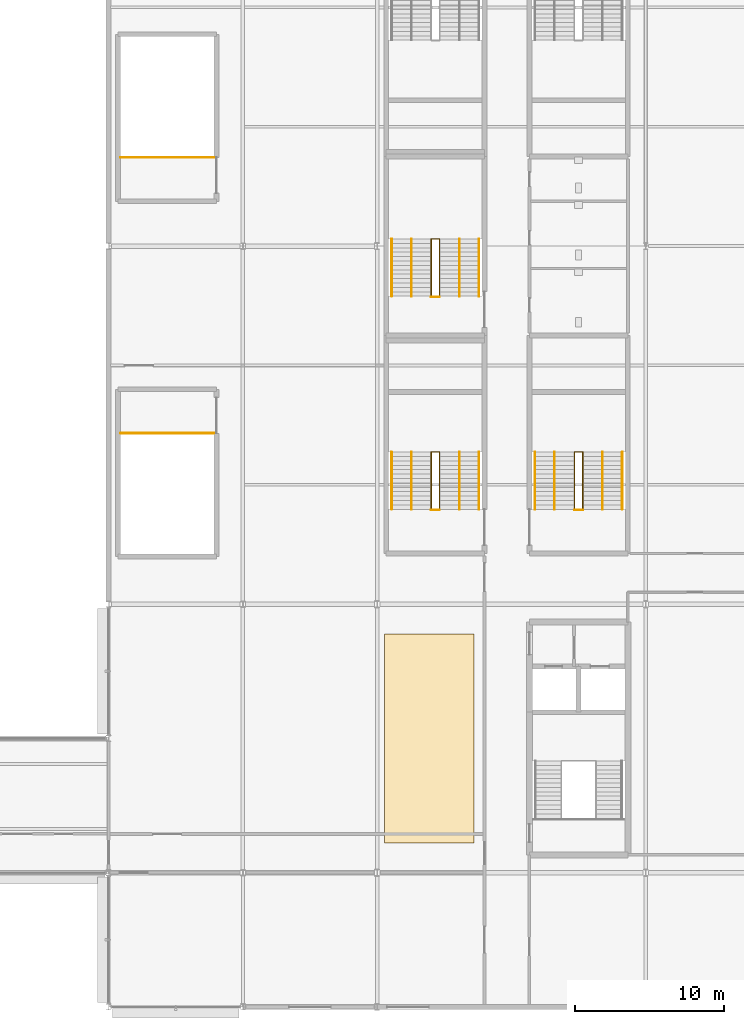
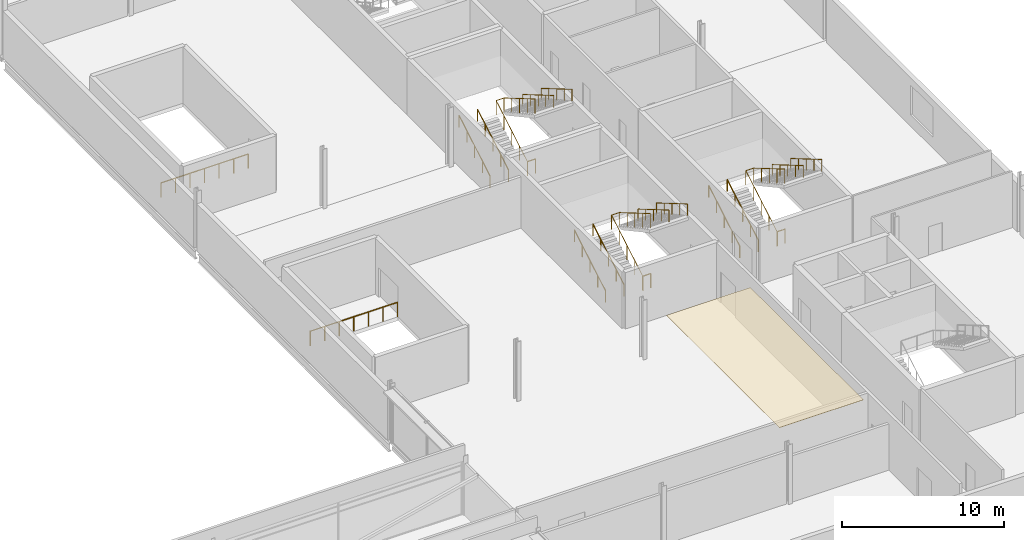
# One storey, part 70 of 73: 20 railings, 1 covering.
"""IFC4 building model written with IfcOpenShell, lengths in metres."""

from ifc_helpers import new_model, si_unit, direction, frame, origin, origin_2d, place, context, subcontext, project, spatial, polyline, circle, outline, extrude, material, layer, layer_set, type_object, element, save


model = new_model("IFC4")

# Units and contexts
model_context = context("Model", 3, precision=1e-05, world=origin(), true_north=direction((0.0, 1.0)))
body_context = subcontext(model_context, "Body", "Model", "MODEL_VIEW")
ifc_project = project(units=[si_unit("LENGTHUNIT", "METRE"), si_unit("AREAUNIT", "SQUARE_METRE"), si_unit("VOLUMEUNIT", "CUBIC_METRE"), si_unit("PLANEANGLEUNIT", "RADIAN"), si_unit("MASSUNIT", "GRAM", prefix="KILO")], contexts=[model_context])

# Site, building, storey
site_placement = place(None, origin())
site = spatial("IfcSite", under=ifc_project, at=site_placement, CompositionType="ELEMENT")
building_placement = place(site_placement, origin())
building = spatial("IfcBuilding", under=site, at=building_placement, Name="Kisiwana Market Hall", CompositionType="ELEMENT")
storey_placement = place(building_placement, frame((0.0, 0.0, 33.300048828125)))
storey = spatial("IfcBuildingStorey", under=building, at=storey_placement, Name="L07", CompositionType="ELEMENT", Elevation=33.300048828125)

# Covering
ifc_material_1 = material(Name="Mineral-fibre acoustic ceiling board")
ifc_layer = layer(ifc_material_1, 0.02490234375)
ifc_layer_set = layer_set([ifc_layer], Name="COV-CEIL-AC")
covering_type = type_object("IfcCoveringType", Name="COV-CEIL-AC", PredefinedType="CEILING", material=ifc_layer_set)
covering_placement = place(storey_placement, frame((0.0, 0.0, 4.22998046875)))
element("IfcCovering", 1, at=covering_placement, inside=storey, type_object=covering_type, Name="Acoustic ceiling grid L07-020", PredefinedType="CEILING", context=body_context, shape_type="SweptSolid", body=[
    extrude(outline(polyline([(171.5, 20.0), (177.5, 20.0), (177.5, 34.0), (171.5, 34.0), (171.5, 20.0)])), origin(), (0.0, 0.0, 1.0), 0.02490234375),
])

# Railings
ifc_material_2 = material(Name="Steel S275", Category="steel")
railing_type_1 = type_object("IfcRailingType", Name="RL-GUARD-1100", PredefinedType="GUARDRAIL", material=ifc_material_2)
railing_1_placement = place(storey_placement, frame((184.219970703125, 42.360107421875, 0.0)))
element("IfcRailing", 2, at=railing_1_placement, inside=storey, type_object=railing_type_1, Name="Stair ST-E3-L07 inner-well guardrail (RL-1079)", PredefinedType="GUARDRAIL", context=body_context, shape_type="SweptSolid", body=[
    extrude(circle(Radius=0.02392578125, at=origin_2d()), frame((0.0, 0.0, 1.076171875), z_axis=(0.0, 0.86250956776, 0.506040754805), x_axis=(-1.0, 0.0, 0.0)), (0.0, 0.0, 1.0), 4.4462890625),
    extrude(circle(Radius=0.02392578125, at=origin_2d()), frame((0.0, 3.8349609375, 3.326171875), z_axis=(1.0, 0.0, 0.0), x_axis=(0.0, 1.0, 0.0)), (0.0, 0.0, 1.0), 0.56005859375),
    extrude(circle(Radius=0.02392578125, at=origin_2d()), frame((0.56005859375, 3.8349609375, 3.326171875), z_axis=(0.0, -0.86250956776, 0.506040754805), x_axis=(1.0, 0.0, 0.0)), (0.0, 0.0, 1.0), 4.4462890625),
    extrude(circle(Radius=0.02099609375, at=origin_2d()), origin(), (0.0, 0.0, 1.0), 1.052001953125),
    extrude(circle(Radius=0.02099609375, at=origin_2d()), frame((0.0, 0.958740234375, 0.5625)), (0.0, 0.0, 1.0), 1.052001953125),
    extrude(circle(Radius=0.02099609375, at=origin_2d()), frame((0.0, 1.91748046875, 1.125)), (0.0, 0.0, 1.0), 1.052001953125),
    extrude(circle(Radius=0.02099609375, at=origin_2d()), frame((0.0, 2.876220703125, 1.6875)), (0.0, 0.0, 1.0), 1.052001953125),
    extrude(circle(Radius=0.02099609375, at=origin_2d()), frame((0.0, 3.8349609375, 2.25)), (0.0, 0.0, 1.0), 1.052001953125),
    extrude(circle(Radius=0.02099609375, at=origin_2d()), frame((0.56005859375, 3.8349609375, 2.25)), (0.0, 0.0, 1.0), 1.052001953125),
    extrude(circle(Radius=0.02099609375, at=origin_2d()), frame((0.56005859375, 2.876220703125, 2.8125)), (0.0, 0.0, 1.0), 1.052001953125),
    extrude(circle(Radius=0.02099609375, at=origin_2d()), frame((0.56005859375, 1.91748046875, 3.375)), (0.0, 0.0, 1.0), 1.052001953125),
    extrude(circle(Radius=0.02099609375, at=origin_2d()), frame((0.56005859375, 0.958740234375, 3.9375)), (0.0, 0.0, 1.0), 1.052001953125),
    extrude(circle(Radius=0.02099609375, at=origin_2d()), frame((0.56005859375, 0.0, 4.5)), (0.0, 0.0, 1.0), 1.052001953125),
])
railing_2_placement = place(storey_placement, frame((184.219970703125, 42.31005859375, 0.0)))
element("IfcRailing", 3, at=railing_2_placement, inside=storey, type_object=railing_type_1, Name="Stair ST-E3-L07 landing edge guardrail (RL-1084)", PredefinedType="GUARDRAIL", context=body_context, shape_type="SweptSolid", body=[
    extrude(circle(Radius=0.02392578125, at=origin_2d()), frame((0.0, 0.0, 1.076171875), z_axis=(1.0, 0.0, 0.0), x_axis=(0.0, 1.0, 0.0)), (0.0, 0.0, 1.0), 0.56005859375),
    extrude(circle(Radius=0.02099609375, at=origin_2d()), origin(), (0.0, 0.0, 1.0), 1.052001953125),
    extrude(circle(Radius=0.02099609375, at=origin_2d()), frame((0.56005859375, 0.0, 0.0)), (0.0, 0.0, 1.0), 1.052001953125),
])
railing_3_placement = place(storey_placement, frame((174.6201171875, 42.360107421875, 0.0)))
element("IfcRailing", 4, at=railing_3_placement, inside=storey, type_object=railing_type_1, Name="Stair ST-E7-L07 inner-well guardrail (RL-1097)", PredefinedType="GUARDRAIL", context=body_context, shape_type="SweptSolid", body=[
    extrude(circle(Radius=0.02392578125, at=origin_2d()), frame((0.0, 0.0, 1.076171875), z_axis=(0.0, 0.86250956776, 0.506040754805), x_axis=(-1.0, 0.0, 0.0)), (0.0, 0.0, 1.0), 4.4462890625),
    extrude(circle(Radius=0.02392578125, at=origin_2d()), frame((0.0, 3.8349609375, 3.326171875), z_axis=(1.0, 0.0, 0.0), x_axis=(0.0, 1.0, 0.0)), (0.0, 0.0, 1.0), 0.559814453125),
    extrude(circle(Radius=0.02392578125, at=origin_2d()), frame((0.559814453125, 3.8349609375, 3.326171875), z_axis=(0.0, -0.86250956776, 0.506040754805), x_axis=(1.0, 0.0, 0.0)), (0.0, 0.0, 1.0), 4.4462890625),
    extrude(circle(Radius=0.02099609375, at=origin_2d()), origin(), (0.0, 0.0, 1.0), 1.052001953125),
    extrude(circle(Radius=0.02099609375, at=origin_2d()), frame((0.0, 0.958740234375, 0.5625)), (0.0, 0.0, 1.0), 1.052001953125),
    extrude(circle(Radius=0.02099609375, at=origin_2d()), frame((0.0, 1.91748046875, 1.125)), (0.0, 0.0, 1.0), 1.052001953125),
    extrude(circle(Radius=0.02099609375, at=origin_2d()), frame((0.0, 2.876220703125, 1.6875)), (0.0, 0.0, 1.0), 1.052001953125),
    extrude(circle(Radius=0.02099609375, at=origin_2d()), frame((0.0, 3.8349609375, 2.25)), (0.0, 0.0, 1.0), 1.052001953125),
    extrude(circle(Radius=0.02099609375, at=origin_2d()), frame((0.559814453125, 3.8349609375, 2.25)), (0.0, 0.0, 1.0), 1.052001953125),
    extrude(circle(Radius=0.02099609375, at=origin_2d()), frame((0.559814453125, 2.876220703125, 2.8125)), (0.0, 0.0, 1.0), 1.052001953125),
    extrude(circle(Radius=0.02099609375, at=origin_2d()), frame((0.559814453125, 1.91748046875, 3.375)), (0.0, 0.0, 1.0), 1.052001953125),
    extrude(circle(Radius=0.02099609375, at=origin_2d()), frame((0.559814453125, 0.958740234375, 3.9375)), (0.0, 0.0, 1.0), 1.052001953125),
    extrude(circle(Radius=0.02099609375, at=origin_2d()), frame((0.559814453125, 0.0, 4.5)), (0.0, 0.0, 1.0), 1.052001953125),
])
railing_4_placement = place(storey_placement, frame((174.6201171875, 42.31005859375, 0.0)))
element("IfcRailing", 5, at=railing_4_placement, inside=storey, type_object=railing_type_1, Name="Stair ST-E7-L07 landing edge guardrail (RL-1102)", PredefinedType="GUARDRAIL", context=body_context, shape_type="SweptSolid", body=[
    extrude(circle(Radius=0.02392578125, at=origin_2d()), frame((0.0, 0.0, 1.076171875), z_axis=(1.0, 0.0, 0.0), x_axis=(0.0, 1.0, 0.0)), (0.0, 0.0, 1.0), 0.559814453125),
    extrude(circle(Radius=0.02099609375, at=origin_2d()), origin(), (0.0, 0.0, 1.0), 1.052001953125),
    extrude(circle(Radius=0.02099609375, at=origin_2d()), frame((0.559814453125, 0.0, 0.0)), (0.0, 0.0, 1.0), 1.052001953125),
])
for number, where, name in (
    (6, (153.81005859375, 47.4599609375, 0.0), "Core E9 top stairwell guardrail (L07) (RL-1116)"),
    (7, (153.81005859375, 65.93994140625, 0.0), "Core E10 top stairwell guardrail (L07) (RL-1118)"),
):
    element("IfcRailing", number, at=place(storey_placement, frame(where)), inside=storey, type_object=railing_type_1, Name=name, PredefinedType="GUARDRAIL", context=body_context, shape_type="SweptSolid", body=[
        extrude(circle(Radius=0.02392578125, at=origin_2d()), frame((0.0, 0.0, 1.076171875), z_axis=(1.0, 0.0, 0.0), x_axis=(0.0, 1.0, 0.0)), (0.0, 0.0, 1.0), 6.239990234375),
        extrude(circle(Radius=0.02099609375, at=origin_2d()), origin(), (0.0, 0.0, 1.0), 1.052001953125),
        extrude(circle(Radius=0.02099609375, at=origin_2d()), frame((1.0400390625, 0.0, 0.0)), (0.0, 0.0, 1.0), 1.052001953125),
        extrude(circle(Radius=0.02099609375, at=origin_2d()), frame((2.080078125, 0.0, 0.0)), (0.0, 0.0, 1.0), 1.052001953125),
        extrude(circle(Radius=0.02099609375, at=origin_2d()), frame((3.1201171875, 0.0, 0.0)), (0.0, 0.0, 1.0), 1.052001953125),
        extrude(circle(Radius=0.02099609375, at=origin_2d()), frame((4.159912109375, 0.0, 0.0)), (0.0, 0.0, 1.0), 1.052001953125),
        extrude(circle(Radius=0.02099609375, at=origin_2d()), frame((5.199951171875, 0.0, 0.0)), (0.0, 0.0, 1.0), 1.052001953125),
        extrude(circle(Radius=0.02099609375, at=origin_2d()), frame((6.239990234375, 0.0, 0.0)), (0.0, 0.0, 1.0), 1.052001953125),
    ])
railing_5_placement = place(storey_placement, frame((174.6201171875, 56.639892578125, 0.0)))
element("IfcRailing", 8, at=railing_5_placement, inside=storey, type_object=railing_type_1, Name="Stair ST-E5-L07 inner-well guardrail (RL-1125)", PredefinedType="GUARDRAIL", context=body_context, shape_type="SweptSolid", body=[
    extrude(circle(Radius=0.02392578125, at=origin_2d()), frame((0.0, 0.0, 1.076171875), z_axis=(0.0, 0.86252362769, 0.506016789916), x_axis=(-1.0, 0.0, 0.0)), (0.0, 0.0, 1.0), 4.446533203125),
    extrude(circle(Radius=0.02392578125, at=origin_2d()), frame((0.0, 3.835205078125, 3.326171875), z_axis=(1.0, 0.0, 0.0), x_axis=(0.0, 1.0, 0.0)), (0.0, 0.0, 1.0), 0.559814453125),
    extrude(circle(Radius=0.02392578125, at=origin_2d()), frame((0.559814453125, 3.835205078125, 3.326171875), z_axis=(0.0, -0.86252362769, 0.506016789916), x_axis=(1.0, 0.0, 0.0)), (0.0, 0.0, 1.0), 4.446533203125),
    extrude(circle(Radius=0.02099609375, at=origin_2d()), origin(), (0.0, 0.0, 1.0), 1.052001953125),
    extrude(circle(Radius=0.02099609375, at=origin_2d()), frame((0.0, 0.958740234375, 0.5625)), (0.0, 0.0, 1.0), 1.052001953125),
    extrude(circle(Radius=0.02099609375, at=origin_2d()), frame((0.0, 1.91748046875, 1.125)), (0.0, 0.0, 1.0), 1.052001953125),
    extrude(circle(Radius=0.02099609375, at=origin_2d()), frame((0.0, 2.87646484375, 1.6875)), (0.0, 0.0, 1.0), 1.052001953125),
    extrude(circle(Radius=0.02099609375, at=origin_2d()), frame((0.0, 3.835205078125, 2.25)), (0.0, 0.0, 1.0), 1.052001953125),
    extrude(circle(Radius=0.02099609375, at=origin_2d()), frame((0.559814453125, 3.835205078125, 2.25)), (0.0, 0.0, 1.0), 1.052001953125),
    extrude(circle(Radius=0.02099609375, at=origin_2d()), frame((0.559814453125, 2.87646484375, 2.8125)), (0.0, 0.0, 1.0), 1.052001953125),
    extrude(circle(Radius=0.02099609375, at=origin_2d()), frame((0.559814453125, 1.91748046875, 3.375)), (0.0, 0.0, 1.0), 1.052001953125),
    extrude(circle(Radius=0.02099609375, at=origin_2d()), frame((0.559814453125, 0.958740234375, 3.9375)), (0.0, 0.0, 1.0), 1.052001953125),
    extrude(circle(Radius=0.02099609375, at=origin_2d()), frame((0.559814453125, 0.0, 4.5)), (0.0, 0.0, 1.0), 1.052001953125),
])
railing_6_placement = place(storey_placement, frame((174.6201171875, 56.590087890625, 0.0)))
element("IfcRailing", 9, at=railing_6_placement, inside=storey, type_object=railing_type_1, Name="Stair ST-E5-L07 landing edge guardrail (RL-1130)", PredefinedType="GUARDRAIL", context=body_context, shape_type="SweptSolid", body=[
    extrude(circle(Radius=0.02392578125, at=origin_2d()), frame((0.0, 0.0, 1.076171875), z_axis=(1.0, 0.0, 0.0), x_axis=(0.0, 1.0, 0.0)), (0.0, 0.0, 1.0), 0.559814453125),
    extrude(circle(Radius=0.02099609375, at=origin_2d()), origin(), (0.0, 0.0, 1.0), 1.052001953125),
    extrude(circle(Radius=0.02099609375, at=origin_2d()), frame((0.559814453125, 0.0, 0.0)), (0.0, 0.0, 1.0), 1.052001953125),
])
ifc_material_3 = material(Name="Steel S275", Category="steel")
railing_type_2 = type_object("IfcRailingType", Name="RL-HAND-900", PredefinedType="HANDRAIL", material=ifc_material_3)
railing_7_placement = place(storey_placement, frame((181.570068359375, 42.360107421875, 0.0)))
element("IfcRailing", 10, at=railing_7_placement, inside=storey, type_object=railing_type_2, Name="Stair ST-E3-L07 flight 1 handrail (RL-1080)", PredefinedType="HANDRAIL", context=body_context, shape_type="SweptSolid", body=[
    extrude(circle(Radius=0.02392578125, at=origin_2d()), frame((0.0, 0.0, 0.8759765625), z_axis=(0.0, 0.86250956776, 0.506040754805), x_axis=(-1.0, 0.0, 0.0)), (0.0, 0.0, 1.0), 4.4462890625),
    extrude(circle(Radius=0.02099609375, at=origin_2d()), origin(), (0.0, 0.0, 1.0), 0.851806640625),
    extrude(circle(Radius=0.02099609375, at=origin_2d()), frame((0.0, 0.958740234375, 0.5625)), (0.0, 0.0, 1.0), 0.851806640625),
    extrude(circle(Radius=0.02099609375, at=origin_2d()), frame((0.0, 1.91748046875, 1.125)), (0.0, 0.0, 1.0), 0.851806640625),
    extrude(circle(Radius=0.02099609375, at=origin_2d()), frame((0.0, 2.876220703125, 1.6875)), (0.0, 0.0, 1.0), 0.851806640625),
    extrude(circle(Radius=0.02099609375, at=origin_2d()), frame((0.0, 3.8349609375, 2.25)), (0.0, 0.0, 1.0), 0.851806640625),
])
railing_8_placement = place(storey_placement, frame((187.429931640625, 46.195068359375, 2.25)))
element("IfcRailing", 11, at=railing_8_placement, inside=storey, type_object=railing_type_2, Name="Stair ST-E3-L07 flight 2 handrail (RL-1081)", PredefinedType="HANDRAIL", context=body_context, shape_type="SweptSolid", body=[
    extrude(circle(Radius=0.02392578125, at=origin_2d()), frame((0.0, 0.0, 0.8759765625), z_axis=(0.0, -0.86250956776, 0.506040754805), x_axis=(1.0, 0.0, 0.0)), (0.0, 0.0, 1.0), 4.4462890625),
    extrude(circle(Radius=0.02099609375, at=origin_2d()), origin(), (0.0, 0.0, 1.0), 0.851806640625),
    extrude(circle(Radius=0.02099609375, at=origin_2d()), frame((0.0, -0.958740234375, 0.5625)), (0.0, 0.0, 1.0), 0.851806640625),
    extrude(circle(Radius=0.02099609375, at=origin_2d()), frame((0.0, -1.91748046875, 1.125)), (0.0, 0.0, 1.0), 0.851806640625),
    extrude(circle(Radius=0.02099609375, at=origin_2d()), frame((0.0, -2.876220703125, 1.6875)), (0.0, 0.0, 1.0), 0.851806640625),
    extrude(circle(Radius=0.02099609375, at=origin_2d()), frame((0.0, -3.8349609375, 2.25)), (0.0, 0.0, 1.0), 0.851806640625),
])
railing_9_placement = place(storey_placement, frame((182.889892578125, 42.360107421875, 0.0)))
element("IfcRailing", 12, at=railing_9_placement, inside=storey, type_object=railing_type_2, Name="Stair ST-E3-L07 flight 1 intermediate handrail (RL-1082)", PredefinedType="HANDRAIL", context=body_context, shape_type="SweptSolid", body=[
    extrude(circle(Radius=0.02392578125, at=origin_2d()), frame((0.0, 0.0, 0.8759765625), z_axis=(0.0, 0.86250956776, 0.506040754805), x_axis=(-1.0, 0.0, 0.0)), (0.0, 0.0, 1.0), 4.4462890625),
    extrude(circle(Radius=0.02099609375, at=origin_2d()), origin(), (0.0, 0.0, 1.0), 0.851806640625),
    extrude(circle(Radius=0.02099609375, at=origin_2d()), frame((0.0, 0.958740234375, 0.5625)), (0.0, 0.0, 1.0), 0.851806640625),
    extrude(circle(Radius=0.02099609375, at=origin_2d()), frame((0.0, 1.91748046875, 1.125)), (0.0, 0.0, 1.0), 0.851806640625),
    extrude(circle(Radius=0.02099609375, at=origin_2d()), frame((0.0, 2.876220703125, 1.6875)), (0.0, 0.0, 1.0), 0.851806640625),
    extrude(circle(Radius=0.02099609375, at=origin_2d()), frame((0.0, 3.8349609375, 2.25)), (0.0, 0.0, 1.0), 0.851806640625),
])
railing_10_placement = place(storey_placement, frame((186.110107421875, 46.195068359375, 2.25)))
element("IfcRailing", 13, at=railing_10_placement, inside=storey, type_object=railing_type_2, Name="Stair ST-E3-L07 flight 2 intermediate handrail (RL-1083)", PredefinedType="HANDRAIL", context=body_context, shape_type="SweptSolid", body=[
    extrude(circle(Radius=0.02392578125, at=origin_2d()), frame((0.0, 0.0, 0.8759765625), z_axis=(0.0, -0.86250956776, 0.506040754805), x_axis=(1.0, 0.0, 0.0)), (0.0, 0.0, 1.0), 4.4462890625),
    extrude(circle(Radius=0.02099609375, at=origin_2d()), origin(), (0.0, 0.0, 1.0), 0.851806640625),
    extrude(circle(Radius=0.02099609375, at=origin_2d()), frame((0.0, -0.958740234375, 0.5625)), (0.0, 0.0, 1.0), 0.851806640625),
    extrude(circle(Radius=0.02099609375, at=origin_2d()), frame((0.0, -1.91748046875, 1.125)), (0.0, 0.0, 1.0), 0.851806640625),
    extrude(circle(Radius=0.02099609375, at=origin_2d()), frame((0.0, -2.876220703125, 1.6875)), (0.0, 0.0, 1.0), 0.851806640625),
    extrude(circle(Radius=0.02099609375, at=origin_2d()), frame((0.0, -3.8349609375, 2.25)), (0.0, 0.0, 1.0), 0.851806640625),
])
railing_11_placement = place(storey_placement, frame((171.969970703125, 42.360107421875, 0.0)))
element("IfcRailing", 14, at=railing_11_placement, inside=storey, type_object=railing_type_2, Name="Stair ST-E7-L07 flight 1 handrail (RL-1098)", PredefinedType="HANDRAIL", context=body_context, shape_type="SweptSolid", body=[
    extrude(circle(Radius=0.02392578125, at=origin_2d()), frame((0.0, 0.0, 0.8759765625), z_axis=(0.0, 0.86250956776, 0.506040754805), x_axis=(-1.0, 0.0, 0.0)), (0.0, 0.0, 1.0), 4.4462890625),
    extrude(circle(Radius=0.02099609375, at=origin_2d()), origin(), (0.0, 0.0, 1.0), 0.851806640625),
    extrude(circle(Radius=0.02099609375, at=origin_2d()), frame((0.0, 0.958740234375, 0.5625)), (0.0, 0.0, 1.0), 0.851806640625),
    extrude(circle(Radius=0.02099609375, at=origin_2d()), frame((0.0, 1.91748046875, 1.125)), (0.0, 0.0, 1.0), 0.851806640625),
    extrude(circle(Radius=0.02099609375, at=origin_2d()), frame((0.0, 2.876220703125, 1.6875)), (0.0, 0.0, 1.0), 0.851806640625),
    extrude(circle(Radius=0.02099609375, at=origin_2d()), frame((0.0, 3.8349609375, 2.25)), (0.0, 0.0, 1.0), 0.851806640625),
])
railing_12_placement = place(storey_placement, frame((177.830078125, 46.195068359375, 2.25)))
element("IfcRailing", 15, at=railing_12_placement, inside=storey, type_object=railing_type_2, Name="Stair ST-E7-L07 flight 2 handrail (RL-1099)", PredefinedType="HANDRAIL", context=body_context, shape_type="SweptSolid", body=[
    extrude(circle(Radius=0.02392578125, at=origin_2d()), frame((0.0, 0.0, 0.8759765625), z_axis=(0.0, -0.86250956776, 0.506040754805), x_axis=(1.0, 0.0, 0.0)), (0.0, 0.0, 1.0), 4.4462890625),
    extrude(circle(Radius=0.02099609375, at=origin_2d()), origin(), (0.0, 0.0, 1.0), 0.851806640625),
    extrude(circle(Radius=0.02099609375, at=origin_2d()), frame((0.0, -0.958740234375, 0.5625)), (0.0, 0.0, 1.0), 0.851806640625),
    extrude(circle(Radius=0.02099609375, at=origin_2d()), frame((0.0, -1.91748046875, 1.125)), (0.0, 0.0, 1.0), 0.851806640625),
    extrude(circle(Radius=0.02099609375, at=origin_2d()), frame((0.0, -2.876220703125, 1.6875)), (0.0, 0.0, 1.0), 0.851806640625),
    extrude(circle(Radius=0.02099609375, at=origin_2d()), frame((0.0, -3.8349609375, 2.25)), (0.0, 0.0, 1.0), 0.851806640625),
])
railing_13_placement = place(storey_placement, frame((173.2900390625, 42.360107421875, 0.0)))
element("IfcRailing", 16, at=railing_13_placement, inside=storey, type_object=railing_type_2, Name="Stair ST-E7-L07 flight 1 intermediate handrail (RL-1100)", PredefinedType="HANDRAIL", context=body_context, shape_type="SweptSolid", body=[
    extrude(circle(Radius=0.02392578125, at=origin_2d()), frame((0.0, 0.0, 0.8759765625), z_axis=(0.0, 0.86250956776, 0.506040754805), x_axis=(-1.0, 0.0, 0.0)), (0.0, 0.0, 1.0), 4.4462890625),
    extrude(circle(Radius=0.02099609375, at=origin_2d()), origin(), (0.0, 0.0, 1.0), 0.851806640625),
    extrude(circle(Radius=0.02099609375, at=origin_2d()), frame((0.0, 0.958740234375, 0.5625)), (0.0, 0.0, 1.0), 0.851806640625),
    extrude(circle(Radius=0.02099609375, at=origin_2d()), frame((0.0, 1.91748046875, 1.125)), (0.0, 0.0, 1.0), 0.851806640625),
    extrude(circle(Radius=0.02099609375, at=origin_2d()), frame((0.0, 2.876220703125, 1.6875)), (0.0, 0.0, 1.0), 0.851806640625),
    extrude(circle(Radius=0.02099609375, at=origin_2d()), frame((0.0, 3.8349609375, 2.25)), (0.0, 0.0, 1.0), 0.851806640625),
])
railing_14_placement = place(storey_placement, frame((176.510009765625, 46.195068359375, 2.25)))
element("IfcRailing", 17, at=railing_14_placement, inside=storey, type_object=railing_type_2, Name="Stair ST-E7-L07 flight 2 intermediate handrail (RL-1101)", PredefinedType="HANDRAIL", context=body_context, shape_type="SweptSolid", body=[
    extrude(circle(Radius=0.02392578125, at=origin_2d()), frame((0.0, 0.0, 0.8759765625), z_axis=(0.0, -0.86250956776, 0.506040754805), x_axis=(1.0, 0.0, 0.0)), (0.0, 0.0, 1.0), 4.4462890625),
    extrude(circle(Radius=0.02099609375, at=origin_2d()), origin(), (0.0, 0.0, 1.0), 0.851806640625),
    extrude(circle(Radius=0.02099609375, at=origin_2d()), frame((0.0, -0.958740234375, 0.5625)), (0.0, 0.0, 1.0), 0.851806640625),
    extrude(circle(Radius=0.02099609375, at=origin_2d()), frame((0.0, -1.91748046875, 1.125)), (0.0, 0.0, 1.0), 0.851806640625),
    extrude(circle(Radius=0.02099609375, at=origin_2d()), frame((0.0, -2.876220703125, 1.6875)), (0.0, 0.0, 1.0), 0.851806640625),
    extrude(circle(Radius=0.02099609375, at=origin_2d()), frame((0.0, -3.8349609375, 2.25)), (0.0, 0.0, 1.0), 0.851806640625),
])
railing_15_placement = place(storey_placement, frame((171.969970703125, 56.639892578125, 0.0)))
element("IfcRailing", 18, at=railing_15_placement, inside=storey, type_object=railing_type_2, Name="Stair ST-E5-L07 flight 1 handrail (RL-1126)", PredefinedType="HANDRAIL", context=body_context, shape_type="SweptSolid", body=[
    extrude(circle(Radius=0.02392578125, at=origin_2d()), frame((0.0, 0.0, 0.8759765625), z_axis=(0.0, 0.86252362769, 0.506016789916), x_axis=(-1.0, 0.0, 0.0)), (0.0, 0.0, 1.0), 4.446533203125),
    extrude(circle(Radius=0.02099609375, at=origin_2d()), origin(), (0.0, 0.0, 1.0), 0.851806640625),
    extrude(circle(Radius=0.02099609375, at=origin_2d()), frame((0.0, 0.958740234375, 0.5625)), (0.0, 0.0, 1.0), 0.851806640625),
    extrude(circle(Radius=0.02099609375, at=origin_2d()), frame((0.0, 1.91748046875, 1.125)), (0.0, 0.0, 1.0), 0.851806640625),
    extrude(circle(Radius=0.02099609375, at=origin_2d()), frame((0.0, 2.87646484375, 1.6875)), (0.0, 0.0, 1.0), 0.851806640625),
    extrude(circle(Radius=0.02099609375, at=origin_2d()), frame((0.0, 3.835205078125, 2.25)), (0.0, 0.0, 1.0), 0.851806640625),
])
railing_16_placement = place(storey_placement, frame((177.830078125, 60.47509765625, 2.25)))
element("IfcRailing", 19, at=railing_16_placement, inside=storey, type_object=railing_type_2, Name="Stair ST-E5-L07 flight 2 handrail (RL-1127)", PredefinedType="HANDRAIL", context=body_context, shape_type="SweptSolid", body=[
    extrude(circle(Radius=0.02392578125, at=origin_2d()), frame((0.0, 0.0, 0.8759765625), z_axis=(0.0, -0.86252362769, 0.506016789916), x_axis=(1.0, 0.0, 0.0)), (0.0, 0.0, 1.0), 4.446533203125),
    extrude(circle(Radius=0.02099609375, at=origin_2d()), origin(), (0.0, 0.0, 1.0), 0.851806640625),
    extrude(circle(Radius=0.02099609375, at=origin_2d()), frame((0.0, -0.958740234375, 0.5625)), (0.0, 0.0, 1.0), 0.851806640625),
    extrude(circle(Radius=0.02099609375, at=origin_2d()), frame((0.0, -1.91748046875, 1.125)), (0.0, 0.0, 1.0), 0.851806640625),
    extrude(circle(Radius=0.02099609375, at=origin_2d()), frame((0.0, -2.87646484375, 1.6875)), (0.0, 0.0, 1.0), 0.851806640625),
    extrude(circle(Radius=0.02099609375, at=origin_2d()), frame((0.0, -3.835205078125, 2.25)), (0.0, 0.0, 1.0), 0.851806640625),
])
railing_17_placement = place(storey_placement, frame((173.2900390625, 56.639892578125, 0.0)))
element("IfcRailing", 20, at=railing_17_placement, inside=storey, type_object=railing_type_2, Name="Stair ST-E5-L07 flight 1 intermediate handrail (RL-1128)", PredefinedType="HANDRAIL", context=body_context, shape_type="SweptSolid", body=[
    extrude(circle(Radius=0.02392578125, at=origin_2d()), frame((0.0, 0.0, 0.8759765625), z_axis=(0.0, 0.86252362769, 0.506016789916), x_axis=(-1.0, 0.0, 0.0)), (0.0, 0.0, 1.0), 4.446533203125),
    extrude(circle(Radius=0.02099609375, at=origin_2d()), origin(), (0.0, 0.0, 1.0), 0.851806640625),
    extrude(circle(Radius=0.02099609375, at=origin_2d()), frame((0.0, 0.958740234375, 0.5625)), (0.0, 0.0, 1.0), 0.851806640625),
    extrude(circle(Radius=0.02099609375, at=origin_2d()), frame((0.0, 1.91748046875, 1.125)), (0.0, 0.0, 1.0), 0.851806640625),
    extrude(circle(Radius=0.02099609375, at=origin_2d()), frame((0.0, 2.87646484375, 1.6875)), (0.0, 0.0, 1.0), 0.851806640625),
    extrude(circle(Radius=0.02099609375, at=origin_2d()), frame((0.0, 3.835205078125, 2.25)), (0.0, 0.0, 1.0), 0.851806640625),
])
railing_18_placement = place(storey_placement, frame((176.510009765625, 60.47509765625, 2.25)))
element("IfcRailing", 21, at=railing_18_placement, inside=storey, type_object=railing_type_2, Name="Stair ST-E5-L07 flight 2 intermediate handrail (RL-1129)", PredefinedType="HANDRAIL", context=body_context, shape_type="SweptSolid", body=[
    extrude(circle(Radius=0.02392578125, at=origin_2d()), frame((0.0, 0.0, 0.8759765625), z_axis=(0.0, -0.86252362769, 0.506016789916), x_axis=(1.0, 0.0, 0.0)), (0.0, 0.0, 1.0), 4.446533203125),
    extrude(circle(Radius=0.02099609375, at=origin_2d()), origin(), (0.0, 0.0, 1.0), 0.851806640625),
    extrude(circle(Radius=0.02099609375, at=origin_2d()), frame((0.0, -0.958740234375, 0.5625)), (0.0, 0.0, 1.0), 0.851806640625),
    extrude(circle(Radius=0.02099609375, at=origin_2d()), frame((0.0, -1.91748046875, 1.125)), (0.0, 0.0, 1.0), 0.851806640625),
    extrude(circle(Radius=0.02099609375, at=origin_2d()), frame((0.0, -2.87646484375, 1.6875)), (0.0, 0.0, 1.0), 0.851806640625),
    extrude(circle(Radius=0.02099609375, at=origin_2d()), frame((0.0, -3.835205078125, 2.25)), (0.0, 0.0, 1.0), 0.851806640625),
])

save(model, "model.ifc")
